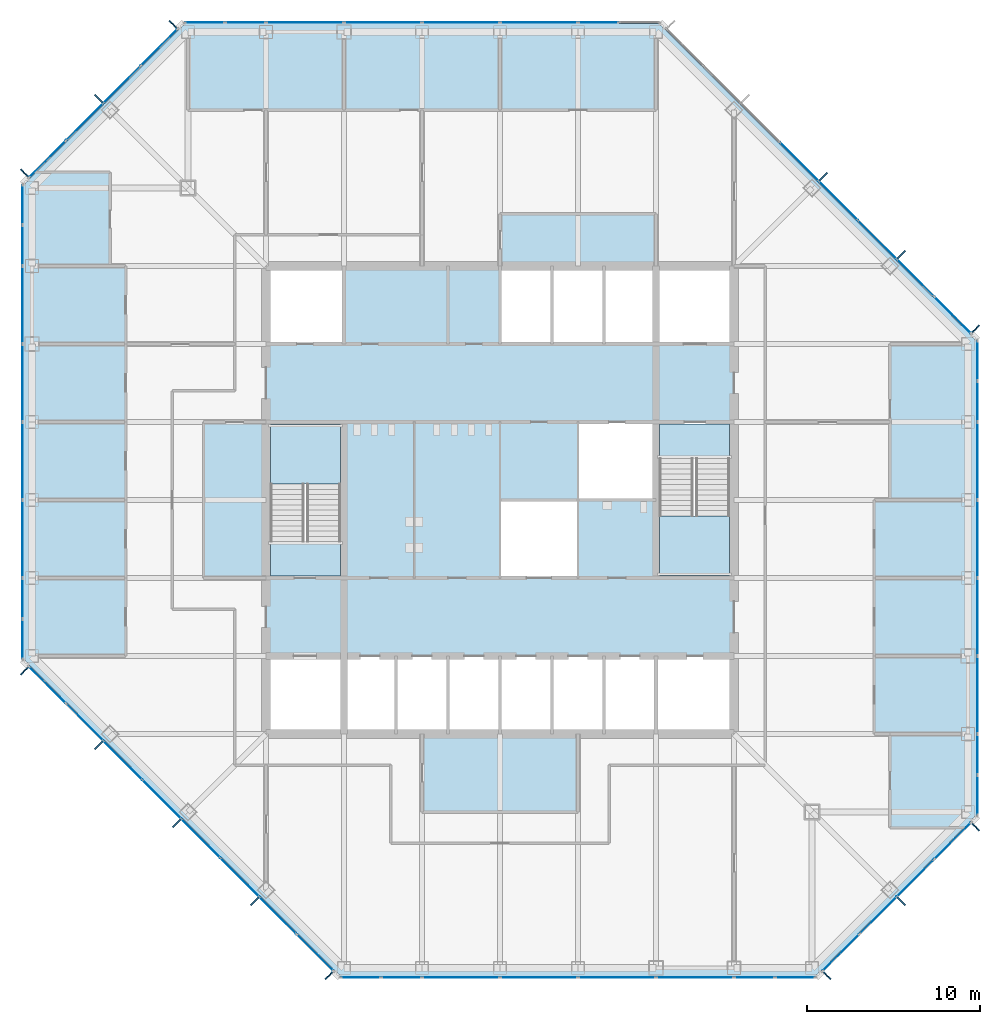
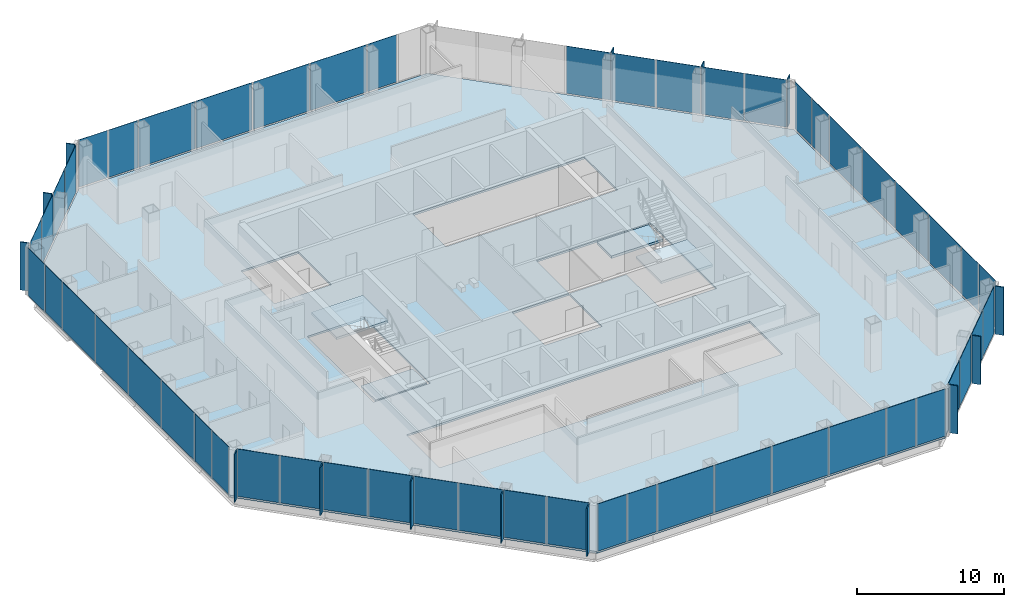
# One storey, part 7 of 13: 66 plates, 5 slabs, 10 elements without a shape of their own.
"""IFC4 building model written with IfcOpenShell, lengths in metres."""

from ifc_helpers import new_model, si_unit, direction, frame, origin, origin_2d, place, context, subcontext, project, spatial, polyline, rectangle, outline, extrude, material, layer, layer_set, type_object, element, aggregate, save


model = new_model("IFC4")

# Units and contexts
model_context = context("Model", 3, precision=1e-05, world=origin(), true_north=direction((0.0, 1.0)))
body_context = subcontext(model_context, "Body", "Model", "MODEL_VIEW")
ifc_project = project(units=[si_unit("LENGTHUNIT", "METRE"), si_unit("AREAUNIT", "SQUARE_METRE"), si_unit("VOLUMEUNIT", "CUBIC_METRE"), si_unit("PLANEANGLEUNIT", "RADIAN"), si_unit("MASSUNIT", "GRAM", prefix="KILO")], contexts=[model_context])

# Site, building, storey
site_placement = place(None, origin())
site = spatial("IfcSite", under=ifc_project, at=site_placement, CompositionType="ELEMENT")
building_placement = place(site_placement, origin())
building = spatial("IfcBuilding", under=site, at=building_placement, Name="Corais Broadcast Tower", CompositionType="ELEMENT")
storey_placement = place(building_placement, frame((0.0, 0.0, 195.60009765625)))
storey = spatial("IfcBuildingStorey", under=building, at=storey_placement, Name="L45", CompositionType="ELEMENT", Elevation=195.60009765625)

# Slab
ifc_material_1 = material(Name="Concrete C30/37", Category="concrete")
ifc_layer_1 = layer(ifc_material_1, 0.159912109375)
ifc_layer_set_1 = layer_set([ifc_layer_1], Name="Concrete C30/37")
slab_type_1 = type_object("IfcSlabType", Name="Composite floor slab 160", PredefinedType="FLOOR", material=ifc_layer_set_1)
slab_1_placement = place(storey_placement, frame((0.0, 0.0, -0.16015625)))
element("IfcSlab", 1, at=slab_1_placement, inside=storey, type_object=slab_type_1, Name="S160 floor slab L45", PredefinedType="FLOOR", context=body_context, shape_type="SweptSolid", body=[
    extrude(outline(polyline([(17.80126953125, -0.47998046875), (-0.47998046875, 17.80126953125), (-0.47998046875, 45.19873046875), (8.80126953125, 54.47998046875), (36.19873046875, 54.47998046875), (54.47998046875, 36.19873046875), (54.47998046875, 8.80126953125), (45.19873046875, -0.47998046875), (17.80126953125, -0.47998046875)]), holes=[polyline([(13.5, 18.0), (40.5, 18.0), (40.5, 13.5), (13.5, 13.5), (13.5, 18.0)]), polyline([(18.0, 22.5), (13.5, 22.5), (13.5, 31.5), (18.0, 31.5), (18.0, 22.5)]), polyline([(18.0, 36.0), (13.5, 36.0), (13.5, 40.5), (18.0, 40.5), (18.0, 36.0)]), polyline([(31.5, 22.5), (27.0, 22.5), (27.0, 27.0), (31.4951171875, 27.0), (31.4951171875, 27.0048828125), (31.5, 27.0048828125), (31.5, 31.5), (40.5, 31.5), (40.5, 22.5), (36.0, 22.5), (36.0, 27.0), (31.5048828125, 27.0), (31.5048828125, 26.9951171875), (31.5, 26.9951171875), (31.5, 22.5)]), polyline([(27.0, 40.5), (40.5, 40.5), (40.5, 36.0), (27.0, 36.0), (27.0, 40.5)])]), origin(), (0.0, 0.0, 1.0), 0.16015625),
])

# Curtain wall, plates
ifc_material_2 = material(Name="Aluminium and glass", Category="aluminium")
curtain_wall_type = type_object("IfcCurtainWallType", Name="Unitised fritted curtain wall CW2", PredefinedType="NOTDEFINED", material=ifc_material_2)
curtain_wall_1_placement = place(storey_placement, origin())
curtain_wall_1 = element("IfcCurtainWall", 2, at=curtain_wall_1_placement, inside=storey, type_object=curtain_wall_type, Name="CW2 curtain wall L45 1", PredefinedType="NOTDEFINED")
ifc_material_3 = material(Name="Ceramic-fritted laminated glass", Category="glass")
ifc_layer_2 = layer(ifc_material_3, 0.028076171875)
ifc_layer_set_2 = layer_set([ifc_layer_2], Name="Ceramic-fritted laminated glass")
plate_type_1 = type_object("IfcPlateType", Name="Fritted glass panel CW2", PredefinedType="CURTAIN_PANEL", material=ifc_layer_set_2)
plate_1_placement = place(storey_placement, frame((16.330322265625, 0.891845703125, 0.06494140625), z_axis=(0.0, 0.0, 1.0), x_axis=(-0.707106781187, 0.707106781187, 0.0)))
plate_1 = element("IfcPlate", 3, at=plate_1_placement, type_object=plate_type_1, Name="CW2 panel 1", PredefinedType="CURTAIN_PANEL", context=body_context, shape_type="SweptSolid", body=[
    extrude(rectangle(XDim=2.9482421875, YDim=0.028076171875, at=origin_2d()), origin(), (0.0, 0.0, 1.0), 3.93505859375),
])
plate_2_placement = place(storey_placement, frame((11.986083984375, 5.236083984375, 0.06494140625), z_axis=(0.0, 0.0, 1.0), x_axis=(-0.707106781187, 0.707106781187, 0.0)))
plate_2 = element("IfcPlate", 4, at=plate_2_placement, type_object=plate_type_1, Name="CW2 panel 3", PredefinedType="CURTAIN_PANEL", context=body_context, shape_type="SweptSolid", body=[
    extrude(rectangle(XDim=3.116943359375, YDim=0.028076171875, at=origin_2d()), origin(), (0.0, 0.0, 1.0), 3.93505859375),
])
plate_3_placement = place(storey_placement, frame((7.486083984375, 9.736083984375, 0.06494140625), z_axis=(0.0, 0.0, 1.0), x_axis=(-0.707106781187, 0.707106781187, 0.0)))
plate_3 = element("IfcPlate", 5, at=plate_3_placement, type_object=plate_type_1, Name="CW2 panel 5", PredefinedType="CURTAIN_PANEL", context=body_context, shape_type="SweptSolid", body=[
    extrude(rectangle(XDim=3.116943359375, YDim=0.028076171875, at=origin_2d()), origin(), (0.0, 0.0, 1.0), 3.93505859375),
])
plate_4_placement = place(storey_placement, frame((3.0341796875, 14.18798828125, 0.06494140625), z_axis=(0.0, 0.0, 1.0), x_axis=(-0.707106781187, 0.707106781187, 0.0)))
plate_4 = element("IfcPlate", 6, at=plate_4_placement, type_object=plate_type_1, Name="CW2 panel 7", PredefinedType="CURTAIN_PANEL", context=body_context, shape_type="SweptSolid", body=[
    extrude(rectangle(XDim=2.98095703125, YDim=0.028076171875, at=origin_2d()), origin(), (0.0, 0.0, 1.0), 3.93505859375),
])

curtain_wall_2_placement = place(storey_placement, origin())
curtain_wall_2 = element("IfcCurtainWall", 7, at=curtain_wall_2_placement, inside=storey, type_object=curtain_wall_type, Name="CW2 curtain wall L45 2", PredefinedType="NOTDEFINED")
plate_5_placement = place(storey_placement, frame((-0.550048828125, 18.970458984375, 0.06494140625), z_axis=(0.0, 0.0, 1.0), x_axis=(0.0, 1.0, 0.0)))
plate_5 = element("IfcPlate", 8, at=plate_5_placement, type_object=plate_type_1, Name="CW2 panel 1", PredefinedType="CURTAIN_PANEL", context=body_context, shape_type="SweptSolid", body=[
    extrude(rectangle(XDim=2.266357421875, YDim=0.028076171875, at=origin_2d()), origin(), (0.0, 0.0, 1.0), 3.93505859375),
])
plate_6_placement = place(storey_placement, frame((-0.550048828125, 24.75, 0.06494140625), z_axis=(0.0, 0.0, 1.0), x_axis=(0.0, 1.0, 0.0)))
plate_6 = element("IfcPlate", 9, at=plate_6_placement, type_object=plate_type_1, Name="CW2 panel 3", PredefinedType="CURTAIN_PANEL", context=body_context, shape_type="SweptSolid", body=[
    extrude(rectangle(XDim=4.43505859375, YDim=0.028076171875, at=origin_2d()), origin(), (0.0, 0.0, 1.0), 3.93505859375),
])
plate_7_placement = place(storey_placement, frame((-0.550048828125, 33.75, 0.06494140625), z_axis=(0.0, 0.0, 1.0), x_axis=(0.0, 1.0, 0.0)))
plate_7 = element("IfcPlate", 10, at=plate_7_placement, type_object=plate_type_1, Name="CW2 panel 5", PredefinedType="CURTAIN_PANEL", context=body_context, shape_type="SweptSolid", body=[
    extrude(rectangle(XDim=4.43505859375, YDim=0.028076171875, at=origin_2d()), origin(), (0.0, 0.0, 1.0), 3.93505859375),
])
plate_8_placement = place(storey_placement, frame((-0.550048828125, 41.681884765625, 0.06494140625), z_axis=(0.0, 0.0, 1.0), x_axis=(0.0, 1.0, 0.0)))
plate_8 = element("IfcPlate", 11, at=plate_8_placement, type_object=plate_type_1, Name="CW2 panel 7", PredefinedType="CURTAIN_PANEL", context=body_context, shape_type="SweptSolid", body=[
    extrude(rectangle(XDim=2.298828125, YDim=0.028076171875, at=origin_2d()), origin(), (0.0, 0.0, 1.0), 3.93505859375),
])

curtain_wall_3_placement = place(storey_placement, origin())
curtain_wall_3 = element("IfcCurtainWall", 12, at=curtain_wall_3_placement, inside=storey, type_object=curtain_wall_type, Name="CW2 curtain wall L45 3", PredefinedType="NOTDEFINED")
plate_9_placement = place(storey_placement, frame((0.891845703125, 46.669677734375, 0.06494140625), z_axis=(0.0, 0.0, 1.0), x_axis=(0.707106781187, 0.707106781187, 0.0)))
plate_9 = element("IfcPlate", 13, at=plate_9_placement, type_object=plate_type_1, Name="CW2 panel 1", PredefinedType="CURTAIN_PANEL", context=body_context, shape_type="SweptSolid", body=[
    extrude(rectangle(XDim=2.9482421875, YDim=0.028076171875, at=origin_2d()), origin(), (0.0, 0.0, 1.0), 3.93505859375),
])
plate_10_placement = place(storey_placement, frame((5.18798828125, 50.9658203125, 0.06494140625), z_axis=(0.0, 0.0, 1.0), x_axis=(0.707106781187, 0.707106781187, 0.0)))
plate_10 = element("IfcPlate", 14, at=plate_10_placement, type_object=plate_type_1, Name="CW2 panel 3", PredefinedType="CURTAIN_PANEL", context=body_context, shape_type="SweptSolid", body=[
    extrude(rectangle(XDim=2.98095703125, YDim=0.028076171875, at=origin_2d()), origin(), (0.0, 0.0, 1.0), 3.93505859375),
])

curtain_wall_4_placement = place(storey_placement, origin())
curtain_wall_4 = element("IfcCurtainWall", 15, at=curtain_wall_4_placement, inside=storey, type_object=curtain_wall_type, Name="CW2 curtain wall L45 4", PredefinedType="NOTDEFINED")
plate_11_placement = place(storey_placement, frame((9.970458984375, 54.550048828125, 0.06494140625), z_axis=(0.0, 0.0, 1.0), x_axis=(1.0, 0.0, 0.0)))
plate_11 = element("IfcPlate", 16, at=plate_11_placement, type_object=plate_type_1, Name="CW2 panel 1", PredefinedType="CURTAIN_PANEL", context=body_context, shape_type="SweptSolid", body=[
    extrude(rectangle(XDim=2.266357421875, YDim=0.028076171875, at=origin_2d()), origin(), (0.0, 0.0, 1.0), 3.93505859375),
])
plate_12_placement = place(storey_placement, frame((15.75, 54.550048828125, 0.06494140625), z_axis=(0.0, 0.0, 1.0), x_axis=(1.0, 0.0, 0.0)))
plate_12 = element("IfcPlate", 17, at=plate_12_placement, type_object=plate_type_1, Name="CW2 panel 3", PredefinedType="CURTAIN_PANEL", context=body_context, shape_type="SweptSolid", body=[
    extrude(rectangle(XDim=4.43505859375, YDim=0.028076171875, at=origin_2d()), origin(), (0.0, 0.0, 1.0), 3.93505859375),
])
plate_13_placement = place(storey_placement, frame((24.75, 54.550048828125, 0.06494140625), z_axis=(0.0, 0.0, 1.0), x_axis=(1.0, 0.0, 0.0)))
plate_13 = element("IfcPlate", 18, at=plate_13_placement, type_object=plate_type_1, Name="CW2 panel 5", PredefinedType="CURTAIN_PANEL", context=body_context, shape_type="SweptSolid", body=[
    extrude(rectangle(XDim=4.43505859375, YDim=0.028076171875, at=origin_2d()), origin(), (0.0, 0.0, 1.0), 3.93505859375),
])
plate_14_placement = place(storey_placement, frame((32.681884765625, 54.550048828125, 0.06494140625), z_axis=(0.0, 0.0, 1.0), x_axis=(1.0, 0.0, 0.0)))
plate_14 = element("IfcPlate", 19, at=plate_14_placement, type_object=plate_type_1, Name="CW2 panel 7", PredefinedType="CURTAIN_PANEL", context=body_context, shape_type="SweptSolid", body=[
    extrude(rectangle(XDim=2.298828125, YDim=0.028076171875, at=origin_2d()), origin(), (0.0, 0.0, 1.0), 3.93505859375),
])

curtain_wall_5_placement = place(storey_placement, origin())
curtain_wall_5 = element("IfcCurtainWall", 20, at=curtain_wall_5_placement, inside=storey, type_object=curtain_wall_type, Name="CW2 curtain wall L45 5", PredefinedType="NOTDEFINED")
plate_15_placement = place(storey_placement, frame((46.513916015625, 44.263916015625, 0.06494140625), z_axis=(0.0, 0.0, 1.0), x_axis=(0.707106781187, -0.707106781187, 0.0)))
plate_15 = element("IfcPlate", 21, at=plate_15_placement, type_object=plate_type_1, Name="CW2 panel 5", PredefinedType="CURTAIN_PANEL", context=body_context, shape_type="SweptSolid", body=[
    extrude(rectangle(XDim=3.116943359375, YDim=0.028076171875, at=origin_2d()), origin(), (0.0, 0.0, 1.0), 3.93505859375),
])
plate_16_placement = place(storey_placement, frame((50.9658203125, 39.81201171875, 0.06494140625), z_axis=(0.0, 0.0, 1.0), x_axis=(0.707106781187, -0.707106781187, 0.0)))
plate_16 = element("IfcPlate", 22, at=plate_16_placement, type_object=plate_type_1, Name="CW2 panel 7", PredefinedType="CURTAIN_PANEL", context=body_context, shape_type="SweptSolid", body=[
    extrude(rectangle(XDim=2.98095703125, YDim=0.028076171875, at=origin_2d()), origin(), (0.0, 0.0, 1.0), 3.93505859375),
])

curtain_wall_6_placement = place(storey_placement, origin())
curtain_wall_6 = element("IfcCurtainWall", 23, at=curtain_wall_6_placement, inside=storey, type_object=curtain_wall_type, Name="CW2 curtain wall L45 6", PredefinedType="NOTDEFINED")
plate_17_placement = place(storey_placement, frame((54.550048828125, 35.029541015625, 0.06494140625), z_axis=(0.0, 0.0, 1.0), x_axis=(0.0, -1.0, 0.0)))
plate_17 = element("IfcPlate", 24, at=plate_17_placement, type_object=plate_type_1, Name="CW2 panel 1", PredefinedType="CURTAIN_PANEL", context=body_context, shape_type="SweptSolid", body=[
    extrude(rectangle(XDim=2.266357421875, YDim=0.028076171875, at=origin_2d()), origin(), (0.0, 0.0, 1.0), 3.93505859375),
])
plate_18_placement = place(storey_placement, frame((54.550048828125, 29.25, 0.06494140625), z_axis=(0.0, 0.0, 1.0), x_axis=(0.0, -1.0, 0.0)))
plate_18 = element("IfcPlate", 25, at=plate_18_placement, type_object=plate_type_1, Name="CW2 panel 3", PredefinedType="CURTAIN_PANEL", context=body_context, shape_type="SweptSolid", body=[
    extrude(rectangle(XDim=4.43505859375, YDim=0.028076171875, at=origin_2d()), origin(), (0.0, 0.0, 1.0), 3.93505859375),
])
plate_19_placement = place(storey_placement, frame((54.550048828125, 20.25, 0.06494140625), z_axis=(0.0, 0.0, 1.0), x_axis=(0.0, -1.0, 0.0)))
plate_19 = element("IfcPlate", 26, at=plate_19_placement, type_object=plate_type_1, Name="CW2 panel 5", PredefinedType="CURTAIN_PANEL", context=body_context, shape_type="SweptSolid", body=[
    extrude(rectangle(XDim=4.43505859375, YDim=0.028076171875, at=origin_2d()), origin(), (0.0, 0.0, 1.0), 3.93505859375),
])
plate_20_placement = place(storey_placement, frame((54.550048828125, 12.318115234375, 0.06494140625), z_axis=(0.0, 0.0, 1.0), x_axis=(0.0, -1.0, 0.0)))
plate_20 = element("IfcPlate", 27, at=plate_20_placement, type_object=plate_type_1, Name="CW2 panel 7", PredefinedType="CURTAIN_PANEL", context=body_context, shape_type="SweptSolid", body=[
    extrude(rectangle(XDim=2.298828125, YDim=0.028076171875, at=origin_2d()), origin(), (0.0, 0.0, 1.0), 3.93505859375),
])

curtain_wall_7_placement = place(storey_placement, origin())
curtain_wall_7 = element("IfcCurtainWall", 28, at=curtain_wall_7_placement, inside=storey, type_object=curtain_wall_type, Name="CW2 curtain wall L45 7", PredefinedType="NOTDEFINED")
plate_21_placement = place(storey_placement, frame((53.108154296875, 7.330322265625, 0.06494140625), z_axis=(0.0, 0.0, 1.0), x_axis=(-0.707106781187, -0.707106781187, 0.0)))
plate_21 = element("IfcPlate", 29, at=plate_21_placement, type_object=plate_type_1, Name="CW2 panel 1", PredefinedType="CURTAIN_PANEL", context=body_context, shape_type="SweptSolid", body=[
    extrude(rectangle(XDim=2.9482421875, YDim=0.028076171875, at=origin_2d()), origin(), (0.0, 0.0, 1.0), 3.93505859375),
])
plate_22_placement = place(storey_placement, frame((48.81201171875, 3.0341796875, 0.06494140625), z_axis=(0.0, 0.0, 1.0), x_axis=(-0.707106781187, -0.707106781187, 0.0)))
plate_22 = element("IfcPlate", 30, at=plate_22_placement, type_object=plate_type_1, Name="CW2 panel 3", PredefinedType="CURTAIN_PANEL", context=body_context, shape_type="SweptSolid", body=[
    extrude(rectangle(XDim=2.98095703125, YDim=0.028076171875, at=origin_2d()), origin(), (0.0, 0.0, 1.0), 3.93505859375),
])

curtain_wall_8_placement = place(storey_placement, origin())
curtain_wall_8 = element("IfcCurtainWall", 31, at=curtain_wall_8_placement, inside=storey, type_object=curtain_wall_type, Name="CW2 curtain wall L45 8", PredefinedType="NOTDEFINED")
plate_23_placement = place(storey_placement, frame((44.029541015625, -0.550048828125, 0.06494140625), z_axis=(0.0, 0.0, 1.0), x_axis=(-1.0, 0.0, 0.0)))
plate_23 = element("IfcPlate", 32, at=plate_23_placement, type_object=plate_type_1, Name="CW2 panel 1", PredefinedType="CURTAIN_PANEL", context=body_context, shape_type="SweptSolid", body=[
    extrude(rectangle(XDim=2.266357421875, YDim=0.028076171875, at=origin_2d()), origin(), (0.0, 0.0, 1.0), 3.93505859375),
])
plate_24_placement = place(storey_placement, frame((38.25, -0.550048828125, 0.06494140625), z_axis=(0.0, 0.0, 1.0), x_axis=(-1.0, 0.0, 0.0)))
plate_24 = element("IfcPlate", 33, at=plate_24_placement, type_object=plate_type_1, Name="CW2 panel 3", PredefinedType="CURTAIN_PANEL", context=body_context, shape_type="SweptSolid", body=[
    extrude(rectangle(XDim=4.43505859375, YDim=0.028076171875, at=origin_2d()), origin(), (0.0, 0.0, 1.0), 3.93505859375),
])
plate_25_placement = place(storey_placement, frame((29.25, -0.550048828125, 0.06494140625), z_axis=(0.0, 0.0, 1.0), x_axis=(-1.0, 0.0, 0.0)))
plate_25 = element("IfcPlate", 34, at=plate_25_placement, type_object=plate_type_1, Name="CW2 panel 5", PredefinedType="CURTAIN_PANEL", context=body_context, shape_type="SweptSolid", body=[
    extrude(rectangle(XDim=4.43505859375, YDim=0.028076171875, at=origin_2d()), origin(), (0.0, 0.0, 1.0), 3.93505859375),
])
plate_26_placement = place(storey_placement, frame((21.318115234375, -0.550048828125, 0.06494140625), z_axis=(0.0, 0.0, 1.0), x_axis=(-1.0, 0.0, 0.0)))
plate_26 = element("IfcPlate", 35, at=plate_26_placement, type_object=plate_type_1, Name="CW2 panel 7", PredefinedType="CURTAIN_PANEL", context=body_context, shape_type="SweptSolid", body=[
    extrude(rectangle(XDim=2.298828125, YDim=0.028076171875, at=origin_2d()), origin(), (0.0, 0.0, 1.0), 3.93505859375),
])

# Plate
ifc_material_4 = material(Name="Clear laminated glass", Category="glass")
ifc_layer_3 = layer(ifc_material_4, 0.031982421875)
ifc_layer_set_3 = layer_set([ifc_layer_3], Name="Clear laminated glass")
plate_type_2 = type_object("IfcPlateType", Name="Operable glass panel CW2", PredefinedType="CURTAIN_PANEL", material=ifc_layer_set_3)
plate_27_placement = place(storey_placement, frame((14.18798828125, 3.0341796875, 0.06494140625), z_axis=(0.0, 0.0, 1.0), x_axis=(-0.707106781187, 0.707106781187, 0.0)))
plate_27 = element("IfcPlate", 36, at=plate_27_placement, type_object=plate_type_2, Name="CW2 operable panel 2", PredefinedType="CURTAIN_PANEL", context=body_context, shape_type="SweptSolid", body=[
    extrude(rectangle(XDim=2.98095703125, YDim=0.031982421875, at=origin_2d()), origin(), (0.0, 0.0, 1.0), 3.93505859375),
])

plate_28_placement = place(storey_placement, frame((9.736083984375, 7.486083984375, 0.06494140625), z_axis=(0.0, 0.0, 1.0), x_axis=(-0.707106781187, 0.707106781187, 0.0)))
plate_28 = element("IfcPlate", 37, at=plate_28_placement, type_object=plate_type_2, Name="CW2 operable panel 4", PredefinedType="CURTAIN_PANEL", context=body_context, shape_type="SweptSolid", body=[
    extrude(rectangle(XDim=3.116943359375, YDim=0.031982421875, at=origin_2d()), origin(), (0.0, 0.0, 1.0), 3.93505859375),
])

plate_29_placement = place(storey_placement, frame((5.236083984375, 11.986083984375, 0.06494140625), z_axis=(0.0, 0.0, 1.0), x_axis=(-0.707106781187, 0.707106781187, 0.0)))
plate_29 = element("IfcPlate", 38, at=plate_29_placement, type_object=plate_type_2, Name="CW2 operable panel 6", PredefinedType="CURTAIN_PANEL", context=body_context, shape_type="SweptSolid", body=[
    extrude(rectangle(XDim=3.116943359375, YDim=0.031982421875, at=origin_2d()), origin(), (0.0, 0.0, 1.0), 3.93505859375),
])

plate_30_placement = place(storey_placement, frame((0.89208984375, 16.330322265625, 0.06494140625), z_axis=(0.0, 0.0, 1.0), x_axis=(-0.707106781187, 0.707106781187, 0.0)))
plate_30 = element("IfcPlate", 39, at=plate_30_placement, type_object=plate_type_2, Name="CW2 operable panel 8", PredefinedType="CURTAIN_PANEL", context=body_context, shape_type="SweptSolid", body=[
    extrude(rectangle(XDim=2.948486328125, YDim=0.031982421875, at=origin_2d()), origin(), (0.0, 0.0, 1.0), 3.93505859375),
])

aggregate(curtain_wall_1, [plate_1, plate_27, plate_2, plate_28, plate_3, plate_29, plate_4, plate_30])

plate_31_placement = place(storey_placement, frame((-0.550048828125, 21.318115234375, 0.06494140625), z_axis=(0.0, 0.0, 1.0), x_axis=(0.0, 1.0, 0.0)))
plate_31 = element("IfcPlate", 40, at=plate_31_placement, type_object=plate_type_2, Name="CW2 operable panel 2", PredefinedType="CURTAIN_PANEL", context=body_context, shape_type="SweptSolid", body=[
    extrude(rectangle(XDim=2.298828125, YDim=0.031982421875, at=origin_2d()), origin(), (0.0, 0.0, 1.0), 3.93505859375),
])

plate_32_placement = place(storey_placement, frame((-0.550048828125, 29.25, 0.06494140625), z_axis=(0.0, 0.0, 1.0), x_axis=(0.0, 1.0, 0.0)))
plate_32 = element("IfcPlate", 41, at=plate_32_placement, type_object=plate_type_2, Name="CW2 operable panel 4", PredefinedType="CURTAIN_PANEL", context=body_context, shape_type="SweptSolid", body=[
    extrude(rectangle(XDim=4.43505859375, YDim=0.031982421875, at=origin_2d()), origin(), (0.0, 0.0, 1.0), 3.93505859375),
])

plate_33_placement = place(storey_placement, frame((-0.550048828125, 38.25, 0.06494140625), z_axis=(0.0, 0.0, 1.0), x_axis=(0.0, 1.0, 0.0)))
plate_33 = element("IfcPlate", 42, at=plate_33_placement, type_object=plate_type_2, Name="CW2 operable panel 6", PredefinedType="CURTAIN_PANEL", context=body_context, shape_type="SweptSolid", body=[
    extrude(rectangle(XDim=4.43505859375, YDim=0.031982421875, at=origin_2d()), origin(), (0.0, 0.0, 1.0), 3.93505859375),
])

plate_34_placement = place(storey_placement, frame((-0.550048828125, 44.029541015625, 0.06494140625), z_axis=(0.0, 0.0, 1.0), x_axis=(0.0, 1.0, 0.0)))
plate_34 = element("IfcPlate", 43, at=plate_34_placement, type_object=plate_type_2, Name="CW2 operable panel 8", PredefinedType="CURTAIN_PANEL", context=body_context, shape_type="SweptSolid", body=[
    extrude(rectangle(XDim=2.266357421875, YDim=0.031982421875, at=origin_2d()), origin(), (0.0, 0.0, 1.0), 3.93505859375),
])

aggregate(curtain_wall_2, [plate_5, plate_31, plate_6, plate_32, plate_7, plate_33, plate_8, plate_34])

plate_35_placement = place(storey_placement, frame((3.0341796875, 48.81201171875, 0.06494140625), z_axis=(0.0, 0.0, 1.0), x_axis=(0.707106781187, 0.707106781187, 0.0)))
plate_35 = element("IfcPlate", 44, at=plate_35_placement, type_object=plate_type_2, Name="CW2 operable panel 2", PredefinedType="CURTAIN_PANEL", context=body_context, shape_type="SweptSolid", body=[
    extrude(rectangle(XDim=2.98095703125, YDim=0.031982421875, at=origin_2d()), origin(), (0.0, 0.0, 1.0), 3.93505859375),
])

plate_36_placement = place(storey_placement, frame((7.330322265625, 53.10791015625, 0.06494140625), z_axis=(0.0, 0.0, 1.0), x_axis=(0.707106781187, 0.707106781187, 0.0)))
plate_36 = element("IfcPlate", 45, at=plate_36_placement, type_object=plate_type_2, Name="CW2 operable panel 4", PredefinedType="CURTAIN_PANEL", context=body_context, shape_type="SweptSolid", body=[
    extrude(rectangle(XDim=2.948486328125, YDim=0.031982421875, at=origin_2d()), origin(), (0.0, 0.0, 1.0), 3.93505859375),
])

aggregate(curtain_wall_3, [plate_9, plate_35, plate_10, plate_36])

plate_37_placement = place(storey_placement, frame((12.318115234375, 54.550048828125, 0.06494140625), z_axis=(0.0, 0.0, 1.0), x_axis=(1.0, 0.0, 0.0)))
plate_37 = element("IfcPlate", 46, at=plate_37_placement, type_object=plate_type_2, Name="CW2 operable panel 2", PredefinedType="CURTAIN_PANEL", context=body_context, shape_type="SweptSolid", body=[
    extrude(rectangle(XDim=2.298828125, YDim=0.031982421875, at=origin_2d()), origin(), (0.0, 0.0, 1.0), 3.93505859375),
])

plate_38_placement = place(storey_placement, frame((20.25, 54.550048828125, 0.06494140625), z_axis=(0.0, 0.0, 1.0), x_axis=(1.0, 0.0, 0.0)))
plate_38 = element("IfcPlate", 47, at=plate_38_placement, type_object=plate_type_2, Name="CW2 operable panel 4", PredefinedType="CURTAIN_PANEL", context=body_context, shape_type="SweptSolid", body=[
    extrude(rectangle(XDim=4.43505859375, YDim=0.031982421875, at=origin_2d()), origin(), (0.0, 0.0, 1.0), 3.93505859375),
])

plate_39_placement = place(storey_placement, frame((29.25, 54.550048828125, 0.06494140625), z_axis=(0.0, 0.0, 1.0), x_axis=(1.0, 0.0, 0.0)))
plate_39 = element("IfcPlate", 48, at=plate_39_placement, type_object=plate_type_2, Name="CW2 operable panel 6", PredefinedType="CURTAIN_PANEL", context=body_context, shape_type="SweptSolid", body=[
    extrude(rectangle(XDim=4.43505859375, YDim=0.031982421875, at=origin_2d()), origin(), (0.0, 0.0, 1.0), 3.93505859375),
])

aggregate(curtain_wall_4, [plate_11, plate_37, plate_12, plate_38, plate_13, plate_39, plate_14])

plate_40_placement = place(storey_placement, frame((44.263916015625, 46.513916015625, 0.06494140625), z_axis=(0.0, 0.0, 1.0), x_axis=(0.707106781187, -0.707106781187, 0.0)))
plate_40 = element("IfcPlate", 49, at=plate_40_placement, type_object=plate_type_2, Name="CW2 operable panel 4", PredefinedType="CURTAIN_PANEL", context=body_context, shape_type="SweptSolid", body=[
    extrude(rectangle(XDim=3.116943359375, YDim=0.031982421875, at=origin_2d()), origin(), (0.0, 0.0, 1.0), 3.93505859375),
])

plate_41_placement = place(storey_placement, frame((48.763916015625, 42.013916015625, 0.06494140625), z_axis=(0.0, 0.0, 1.0), x_axis=(0.707106781187, -0.707106781187, 0.0)))
plate_41 = element("IfcPlate", 50, at=plate_41_placement, type_object=plate_type_2, Name="CW2 operable panel 6", PredefinedType="CURTAIN_PANEL", context=body_context, shape_type="SweptSolid", body=[
    extrude(rectangle(XDim=3.116943359375, YDim=0.031982421875, at=origin_2d()), origin(), (0.0, 0.0, 1.0), 3.93505859375),
])

plate_42_placement = place(storey_placement, frame((53.10791015625, 37.669677734375, 0.06494140625), z_axis=(0.0, 0.0, 1.0), x_axis=(0.707106781187, -0.707106781187, 0.0)))
plate_42 = element("IfcPlate", 51, at=plate_42_placement, type_object=plate_type_2, Name="CW2 operable panel 8", PredefinedType="CURTAIN_PANEL", context=body_context, shape_type="SweptSolid", body=[
    extrude(rectangle(XDim=2.948486328125, YDim=0.031982421875, at=origin_2d()), origin(), (0.0, 0.0, 1.0), 3.93505859375),
])

aggregate(curtain_wall_5, [plate_40, plate_15, plate_41, plate_16, plate_42])

plate_43_placement = place(storey_placement, frame((54.550048828125, 32.681884765625, 0.06494140625), z_axis=(0.0, 0.0, 1.0), x_axis=(0.0, -1.0, 0.0)))
plate_43 = element("IfcPlate", 52, at=plate_43_placement, type_object=plate_type_2, Name="CW2 operable panel 2", PredefinedType="CURTAIN_PANEL", context=body_context, shape_type="SweptSolid", body=[
    extrude(rectangle(XDim=2.298828125, YDim=0.031982421875, at=origin_2d()), origin(), (0.0, 0.0, 1.0), 3.93505859375),
])

plate_44_placement = place(storey_placement, frame((54.550048828125, 24.75, 0.06494140625), z_axis=(0.0, 0.0, 1.0), x_axis=(0.0, -1.0, 0.0)))
plate_44 = element("IfcPlate", 53, at=plate_44_placement, type_object=plate_type_2, Name="CW2 operable panel 4", PredefinedType="CURTAIN_PANEL", context=body_context, shape_type="SweptSolid", body=[
    extrude(rectangle(XDim=4.43505859375, YDim=0.031982421875, at=origin_2d()), origin(), (0.0, 0.0, 1.0), 3.93505859375),
])

plate_45_placement = place(storey_placement, frame((54.550048828125, 15.75, 0.06494140625), z_axis=(0.0, 0.0, 1.0), x_axis=(0.0, -1.0, 0.0)))
plate_45 = element("IfcPlate", 54, at=plate_45_placement, type_object=plate_type_2, Name="CW2 operable panel 6", PredefinedType="CURTAIN_PANEL", context=body_context, shape_type="SweptSolid", body=[
    extrude(rectangle(XDim=4.43505859375, YDim=0.031982421875, at=origin_2d()), origin(), (0.0, 0.0, 1.0), 3.93505859375),
])

plate_46_placement = place(storey_placement, frame((54.550048828125, 9.970458984375, 0.06494140625), z_axis=(0.0, 0.0, 1.0), x_axis=(0.0, -1.0, 0.0)))
plate_46 = element("IfcPlate", 55, at=plate_46_placement, type_object=plate_type_2, Name="CW2 operable panel 8", PredefinedType="CURTAIN_PANEL", context=body_context, shape_type="SweptSolid", body=[
    extrude(rectangle(XDim=2.266357421875, YDim=0.031982421875, at=origin_2d()), origin(), (0.0, 0.0, 1.0), 3.93505859375),
])

aggregate(curtain_wall_6, [plate_17, plate_43, plate_18, plate_44, plate_19, plate_45, plate_20, plate_46])

plate_47_placement = place(storey_placement, frame((50.9658203125, 5.18798828125, 0.06494140625), z_axis=(0.0, 0.0, 1.0), x_axis=(-0.707106781187, -0.707106781187, 0.0)))
plate_47 = element("IfcPlate", 56, at=plate_47_placement, type_object=plate_type_2, Name="CW2 operable panel 2", PredefinedType="CURTAIN_PANEL", context=body_context, shape_type="SweptSolid", body=[
    extrude(rectangle(XDim=2.98095703125, YDim=0.031982421875, at=origin_2d()), origin(), (0.0, 0.0, 1.0), 3.93505859375),
])

plate_48_placement = place(storey_placement, frame((46.669677734375, 0.89208984375, 0.06494140625), z_axis=(0.0, 0.0, 1.0), x_axis=(-0.707106781187, -0.707106781187, 0.0)))
plate_48 = element("IfcPlate", 57, at=plate_48_placement, type_object=plate_type_2, Name="CW2 operable panel 4", PredefinedType="CURTAIN_PANEL", context=body_context, shape_type="SweptSolid", body=[
    extrude(rectangle(XDim=2.948486328125, YDim=0.031982421875, at=origin_2d()), origin(), (0.0, 0.0, 1.0), 3.93505859375),
])

aggregate(curtain_wall_7, [plate_21, plate_47, plate_22, plate_48])

plate_49_placement = place(storey_placement, frame((41.681884765625, -0.550048828125, 0.06494140625), z_axis=(0.0, 0.0, 1.0), x_axis=(-1.0, 0.0, 0.0)))
plate_49 = element("IfcPlate", 58, at=plate_49_placement, type_object=plate_type_2, Name="CW2 operable panel 2", PredefinedType="CURTAIN_PANEL", context=body_context, shape_type="SweptSolid", body=[
    extrude(rectangle(XDim=2.298828125, YDim=0.031982421875, at=origin_2d()), origin(), (0.0, 0.0, 1.0), 3.93505859375),
])

plate_50_placement = place(storey_placement, frame((33.75, -0.550048828125, 0.06494140625), z_axis=(0.0, 0.0, 1.0), x_axis=(-1.0, 0.0, 0.0)))
plate_50 = element("IfcPlate", 59, at=plate_50_placement, type_object=plate_type_2, Name="CW2 operable panel 4", PredefinedType="CURTAIN_PANEL", context=body_context, shape_type="SweptSolid", body=[
    extrude(rectangle(XDim=4.43505859375, YDim=0.031982421875, at=origin_2d()), origin(), (0.0, 0.0, 1.0), 3.93505859375),
])

plate_51_placement = place(storey_placement, frame((24.75, -0.550048828125, 0.06494140625), z_axis=(0.0, 0.0, 1.0), x_axis=(-1.0, 0.0, 0.0)))
plate_51 = element("IfcPlate", 60, at=plate_51_placement, type_object=plate_type_2, Name="CW2 operable panel 6", PredefinedType="CURTAIN_PANEL", context=body_context, shape_type="SweptSolid", body=[
    extrude(rectangle(XDim=4.43505859375, YDim=0.031982421875, at=origin_2d()), origin(), (0.0, 0.0, 1.0), 3.93505859375),
])

plate_52_placement = place(storey_placement, frame((18.970458984375, -0.550048828125, 0.06494140625), z_axis=(0.0, 0.0, 1.0), x_axis=(-1.0, 0.0, 0.0)))
plate_52 = element("IfcPlate", 61, at=plate_52_placement, type_object=plate_type_2, Name="CW2 operable panel 8", PredefinedType="CURTAIN_PANEL", context=body_context, shape_type="SweptSolid", body=[
    extrude(rectangle(XDim=2.266357421875, YDim=0.031982421875, at=origin_2d()), origin(), (0.0, 0.0, 1.0), 3.93505859375),
])

aggregate(curtain_wall_8, [plate_23, plate_49, plate_24, plate_50, plate_25, plate_51, plate_26, plate_52])

# Stair, slabs
ifc_material_5 = material(Name="Concrete C30/37", Category="concrete")
stair_type = type_object("IfcStairType", Name="Half-turn stair 4000", PredefinedType="HALF_TURN_STAIR", material=ifc_material_5)
stair_1_placement = place(storey_placement, origin())
stair_1 = element("IfcStair", 62, at=stair_1_placement, inside=storey, type_object=stair_type, Name="Stair A L45", PredefinedType="HALF_TURN_STAIR")
ifc_material_6 = material(Name="Concrete C30/37", Category="concrete")
ifc_layer_4 = layer(ifc_material_6, 0.199951171875)
ifc_layer_set_4 = layer_set([ifc_layer_4], Name="Concrete C30/37")
slab_type_2 = type_object("IfcSlabType", Name="Stair landing 200", PredefinedType="LANDING", material=ifc_layer_set_4)
slab_2_placement = place(storey_placement, frame((0.0, 0.0, -0.2001953125)))
slab_2 = element("IfcSlab", 63, at=slab_2_placement, type_object=slab_type_2, Name="STA landing 1", PredefinedType="LANDING", context=body_context, shape_type="SweptSolid", body=[
    extrude(outline(polyline([(13.75, 22.625), (17.800048828125, 22.625), (17.800048828125, 24.60009765625), (13.75, 24.60009765625), (13.75, 22.625)])), origin(), (0.0, 0.0, 1.0), 0.2001953125),
])
slab_3_placement = place(storey_placement, frame((0.0, 0.0, 1.7998046875)))
slab_3 = element("IfcSlab", 64, at=slab_3_placement, type_object=slab_type_2, Name="STA landing 2", PredefinedType="LANDING", context=body_context, shape_type="SweptSolid", body=[
    extrude(outline(polyline([(13.75, 27.922119140625), (17.800048828125, 27.922119140625), (17.800048828125, 31.375), (13.75, 31.375), (13.75, 27.922119140625)])), origin(), (0.0, 0.0, 1.0), 0.2001953125),
])
aggregate(stair_1, [slab_2, slab_3])

stair_2_placement = place(storey_placement, origin())
stair_2 = element("IfcStair", 65, at=stair_2_placement, inside=storey, type_object=stair_type, Name="Stair B L45", PredefinedType="HALF_TURN_STAIR")
slab_4_placement = place(storey_placement, frame((0.0, 0.0, -0.2001953125)))
slab_4 = element("IfcSlab", 66, at=slab_4_placement, type_object=slab_type_2, Name="STB landing 1", PredefinedType="LANDING", context=body_context, shape_type="SweptSolid", body=[
    extrude(outline(polyline([(36.199951171875, 29.39990234375), (40.25, 29.39990234375), (40.25, 31.375), (36.199951171875, 31.375), (36.199951171875, 29.39990234375)])), origin(), (0.0, 0.0, 1.0), 0.2001953125),
])
slab_5_placement = place(storey_placement, frame((0.0, 0.0, 1.7998046875)))
slab_5 = element("IfcSlab", 67, at=slab_5_placement, type_object=slab_type_2, Name="STB landing 2", PredefinedType="LANDING", context=body_context, shape_type="SweptSolid", body=[
    extrude(outline(polyline([(36.199951171875, 22.625), (40.25, 22.625), (40.25, 26.077880859375), (36.199951171875, 26.077880859375), (36.199951171875, 22.625)])), origin(), (0.0, 0.0, 1.0), 0.2001953125),
])
aggregate(stair_2, [slab_4, slab_5])

# Plates
ifc_material_7 = material(Name="Granite stone cladding", Category="masonry")
ifc_layer_5 = layer(ifc_material_7, 0.080078125)
ifc_layer_set_5 = layer_set([ifc_layer_5], Name="Granite stone cladding")
plate_type_3 = type_object("IfcPlateType", Name="Stone screen fin 80x600", PredefinedType="USERDEFINED", material=ifc_layer_set_5)
for number, where, z_axis, x_axis, name in (
    (68, (17.1220703125, -0.447021484375, 0.0), (0.0, 0.0, 1.0), (-0.707106781187, 0.707106781187, 0.0), "SF1 stone screen fin L45"),
    (69, (12.83740234375, 3.83740234375, 0.0), (0.0, 0.0, 1.0), (-0.707106781187, 0.707106781187, 0.0), "SF1 stone screen fin L45"),
    (70, (8.33740234375, 8.33740234375, 0.0), (0.0, 0.0, 1.0), (-0.707106781187, 0.707106781187, 0.0), "SF1 stone screen fin L45"),
    (71, (3.83740234375, 12.83740234375, 0.0), (0.0, 0.0, 1.0), (-0.707106781187, 0.707106781187, 0.0), "SF1 stone screen fin L45"),
    (72, (-0.447021484375, 17.1220703125, 0.0), (0.0, 0.0, 1.0), (-0.707106781187, 0.707106781187, 0.0), "SF1 stone screen fin L45"),
    (73, (-0.447021484375, 45.8779296875, 0.0), (0.0, 0.0, 1.0), (0.707106781187, 0.707106781187, 0.0), "SF1 stone screen fin L45"),
    (74, (3.83740234375, 50.16259765625, 0.0), (0.0, 0.0, 1.0), (0.707106781187, 0.707106781187, 0.0), "SF1 stone screen fin L45"),
    (75, (8.1220703125, 54.447021484375, 0.0), (0.0, 0.0, 1.0), (0.707106781187, 0.707106781187, 0.0), "SF1 stone screen fin L45"),
    (76, (45.66259765625, 45.66259765625, 0.0), (0.0, 0.0, 1.0), (0.707106781187, -0.707106781187, 0.0), "SF1 stone screen fin L45"),
    (77, (50.16259765625, 41.16259765625, 0.0), (0.0, 0.0, 1.0), (0.707106781187, -0.707106781187, 0.0), "SF1 stone screen fin L45"),
    (78, (54.447021484375, 36.8779296875, 0.0), (0.0, 0.0, 1.0), (0.707106781187, -0.707106781187, 0.0), "SF1 stone screen fin L45"),
    (79, (54.447021484375, 8.1220703125, 0.0), (0.0, 0.0, 1.0), (-0.707106781187, -0.707106781187, 0.0), "SF1 stone screen fin L45"),
    (80, (50.16259765625, 3.83740234375, 0.0), (0.0, 0.0, 1.0), (-0.707106781187, -0.707106781187, 0.0), "SF1 stone screen fin L45"),
    (81, (45.8779296875, -0.447021484375, 0.0), (0.0, 0.0, 1.0), (-0.707106781187, -0.707106781187, 0.0), "SF1 stone screen fin L45"),
):
    element("IfcPlate", number, at=place(storey_placement, frame(where, z_axis=z_axis, x_axis=x_axis)), inside=storey, type_object=plate_type_3, Name=name, ObjectType="STONE SCREEN FIN", PredefinedType="USERDEFINED", context=body_context, shape_type="SweptSolid", body=[
        extrude(rectangle(XDim=0.080078125, YDim=0.60009765625, at=origin_2d()), origin(), (0.0, 0.0, 1.0), 4.0),
    ])

save(model, "model.ifc")
